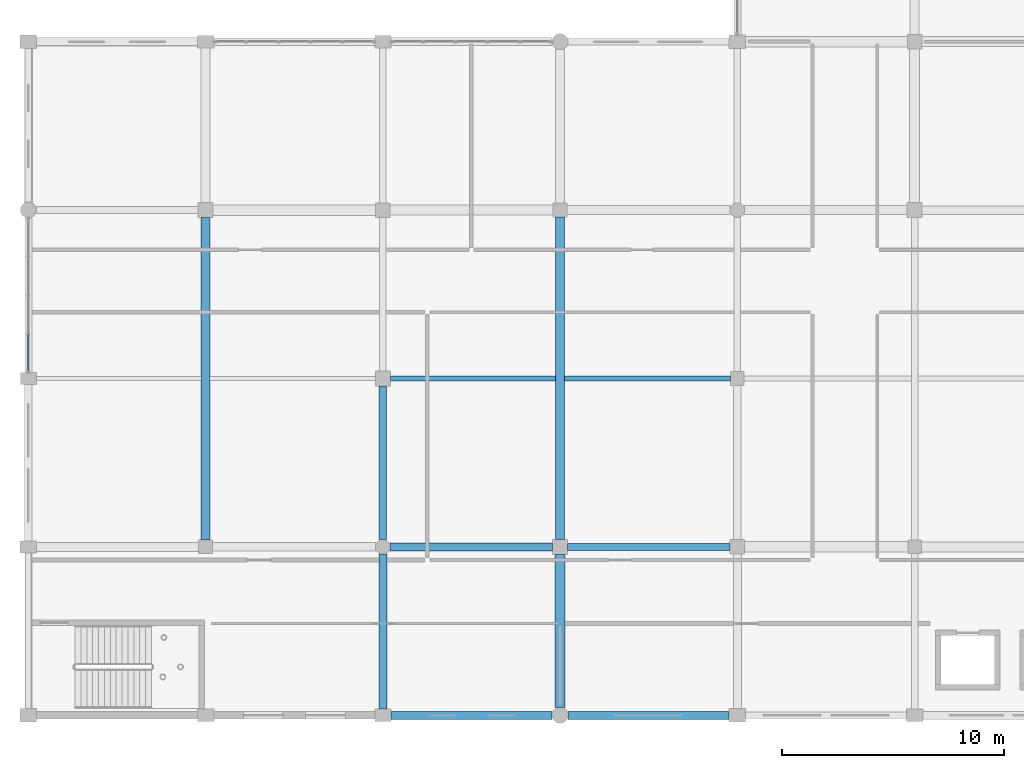
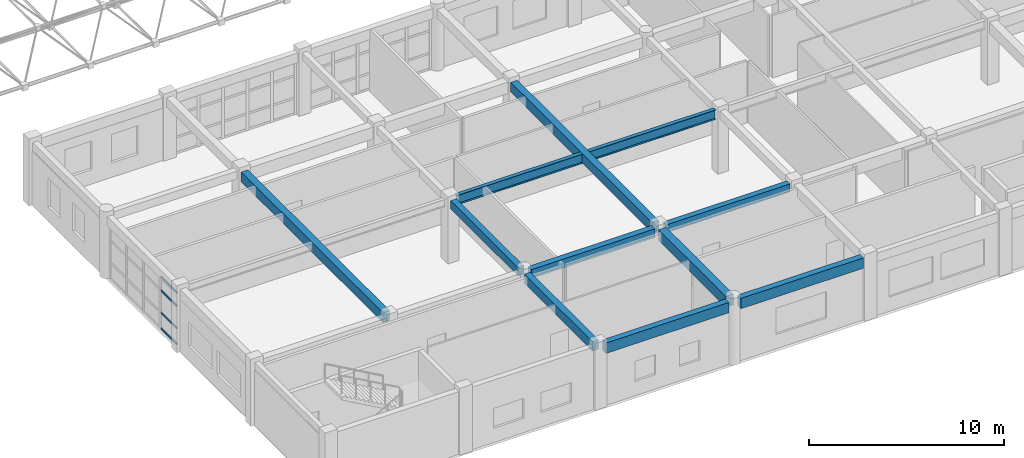
# One storey, part 35 of 195: 10 beams, 4 members, 1 element without a shape of its own.
"""IFC4 building model written with IfcOpenShell, lengths in metres."""

from ifc_helpers import new_model, si_unit, direction, frame, origin, origin_2d, place, context, subcontext, project, spatial, rectangle, hollow_rectangle, i_section, extrude, material, material_profile, profile_set, type_object, element, aggregate, save


model = new_model("IFC4")

# Units and contexts
model_context = context("Model", 3, precision=1e-05, world=origin(), true_north=direction((0.0, 1.0)))
body_context = subcontext(model_context, "Body", "Model", "MODEL_VIEW")
ifc_project = project(units=[si_unit("LENGTHUNIT", "METRE"), si_unit("AREAUNIT", "SQUARE_METRE"), si_unit("VOLUMEUNIT", "CUBIC_METRE"), si_unit("PLANEANGLEUNIT", "RADIAN"), si_unit("MASSUNIT", "GRAM", prefix="KILO")], contexts=[model_context])

# Site, building, storey
site_placement = place(None, origin())
site = spatial("IfcSite", under=ifc_project, at=site_placement, CompositionType="ELEMENT")
building_placement = place(site_placement, origin())
building = spatial("IfcBuilding", under=site, at=building_placement, Name="Kharva Crest Polytechnic", CompositionType="ELEMENT")
storey_placement = place(building_placement, frame((0.0, 0.0, 9.0)))
storey = spatial("IfcBuildingStorey", under=building, at=storey_placement, Name="L02", CompositionType="ELEMENT", Elevation=9.0)

# Beams
ifc_material_1 = material(Name="Concrete C35/45", Category="concrete")
ifc_material_profile_1 = material_profile(ifc_material_1, rectangle(XDim=0.320068359375, YDim=0.5, at=origin_2d()), Name="RECT 320 X 500")
ifc_profile_set_1 = profile_set([ifc_material_profile_1], Name="Concrete C35/45")
beam_type_1 = type_object("IfcBeamType", Name="BM-RC-320X500", PredefinedType="BEAM", material=ifc_profile_set_1)
beam_1_placement = place(storey_placement, frame((24.340087890625, 7.60009765625, 3.669921875), z_axis=(1.0, 0.0, 0.0), x_axis=(0.0, 1.0, 0.0)))
element("IfcBeam", 1, at=beam_1_placement, inside=storey, type_object=beam_type_1, Name="L02 Beam B/4-5", PredefinedType="BEAM", context=body_context, shape_type="SweptSolid", body=[
    extrude(rectangle(XDim=0.320068359375, YDim=0.5, at=origin_2d()), origin(), (0.0, 0.0, 1.0), 7.3349609375),
])
ifc_material_profile_2 = material_profile(ifc_material_1, rectangle(XDim=0.340087890625, YDim=0.52001953125, at=origin_2d()), Name="RECT 340 X 520")
ifc_profile_set_2 = profile_set([ifc_material_profile_2], Name="Concrete C35/45")
beam_type_2 = type_object("IfcBeamType", Name="BM-RC-340X520", PredefinedType="BEAM", material=ifc_profile_set_2)
beam_2_placement = place(storey_placement, frame((16.0, 7.929931640625, 3.659912109375), z_axis=(0.0, 1.0, 0.0), x_axis=(-1.0, 0.0, 0.0)))
element("IfcBeam", 2, at=beam_2_placement, inside=storey, type_object=beam_type_2, Name="L02 Girder 3/B-C", PredefinedType="BEAM", context=body_context, shape_type="SweptSolid", body=[
    extrude(rectangle(XDim=0.340087890625, YDim=0.52001953125, at=origin_2d()), origin(), (0.0, 0.0, 1.0), 6.93017578125),
])
ifc_material_profile_3 = material_profile(ifc_material_1, rectangle(XDim=0.35009765625, YDim=0.550048828125, at=origin_2d()), Name="RECT 350 X 550")
ifc_profile_set_3 = profile_set([ifc_material_profile_3], Name="Concrete C35/45")
beam_type_3 = type_object("IfcBeamType", Name="BM-RC-350X550", PredefinedType="BEAM", material=ifc_profile_set_3)
beam_3_placement = place(storey_placement, frame((16.330078125, 7.60009765625, 3.64501953125), z_axis=(1.0, 0.0, 0.0), x_axis=(0.0, 1.0, 0.0)))
element("IfcBeam", 3, at=beam_3_placement, inside=storey, type_object=beam_type_3, Name="L02 Beam B/3-4", PredefinedType="BEAM", context=body_context, shape_type="SweptSolid", body=[
    extrude(rectangle(XDim=0.35009765625, YDim=0.550048828125, at=origin_2d()), origin(), (0.0, 0.0, 1.0), 7.329833984375),
])
ifc_material_profile_4 = material_profile(ifc_material_1, rectangle(XDim=0.360107421875, YDim=0.580078125, at=origin_2d()), Name="RECT 360 X 580")
ifc_profile_set_4 = profile_set([ifc_material_profile_4], Name="Concrete C35/45")
beam_type_4 = type_object("IfcBeamType", Name="BM-RC-360X580", PredefinedType="BEAM", material=ifc_profile_set_4)
beam_4_placement = place(storey_placement, frame((16.0, 0.27490234375, 3.6298828125), z_axis=(0.0, 1.0, 0.0), x_axis=(-1.0, 0.0, 0.0)))
element("IfcBeam", 4, at=beam_4_placement, inside=storey, type_object=beam_type_4, Name="L02 Girder 3/A-B", PredefinedType="BEAM", context=body_context, shape_type="SweptSolid", body=[
    extrude(rectangle(XDim=0.360107421875, YDim=0.580078125, at=origin_2d()), origin(), (0.0, 0.0, 1.0), 6.9951171875),
])
ifc_material_profile_5 = material_profile(ifc_material_1, rectangle(XDim=0.39990234375, YDim=0.6201171875, at=origin_2d()), Name="RECT 400 X 620")
ifc_profile_set_5 = profile_set([ifc_material_profile_5], Name="Concrete C35/45")
beam_type_5 = type_object("IfcBeamType", Name="BM-RC-400X620", PredefinedType="BEAM", material=ifc_profile_set_5)
for number, where, z_axis, x_axis, name in (
    (5, (8.0, 7.909912109375, 3.610107421875), (0.0, 1.0, 0.0), (-1.0, 0.0, 0.0), "L02 Girder 2/B-D"),
    (6, (24.0, 7.93994140625, 3.610107421875), (0.0, 1.0, 0.0), (-1.0, 0.0, 0.0), "L02 Girder 4/B-D"),
):
    element("IfcBeam", number, at=place(storey_placement, frame(where, z_axis=z_axis, x_axis=x_axis)), inside=storey, type_object=beam_type_5, Name=name, PredefinedType="BEAM", context=body_context, shape_type="SweptSolid", body=[
        extrude(rectangle(XDim=0.39990234375, YDim=0.6201171875, at=origin_2d()), origin(), (0.0, 0.0, 1.0), 14.550048828125),
    ])
ifc_material_profile_6 = material_profile(ifc_material_1, rectangle(XDim=0.449951171875, YDim=0.679931640625, at=origin_2d()), Name="RECT 450 X 680")
ifc_profile_set_6 = profile_set([ifc_material_profile_6], Name="Concrete C35/45")
beam_type_6 = type_object("IfcBeamType", Name="BM-RC-450X680", PredefinedType="BEAM", material=ifc_profile_set_6)
beam_5_placement = place(storey_placement, frame((24.0, 0.360107421875, 3.580078125), z_axis=(0.0, 1.0, 0.0), x_axis=(-1.0, 0.0, 0.0)))
element("IfcBeam", 7, at=beam_5_placement, inside=storey, type_object=beam_type_6, Name="L02 Girder 4/A-B", PredefinedType="BEAM", context=body_context, shape_type="SweptSolid", body=[
    extrude(rectangle(XDim=0.449951171875, YDim=0.679931640625, at=origin_2d()), origin(), (0.0, 0.0, 1.0), 6.89990234375),
])
ifc_material_2 = material(Name="Steel S355", Category="steel")
ifc_material_profile_7 = material_profile(ifc_material_2, i_section(OverallWidth=0.22802734375, OverallDepth=0.60302734375, WebThickness=0.010498046875, FlangeThickness=0.014892578125, at=origin_2d()), Name="W610X101")
ifc_profile_set_7 = profile_set([ifc_material_profile_7], Name="Steel S355")
beam_type_7 = type_object("IfcBeamType", Name="BM-STL-W610X101", PredefinedType="BEAM", material=ifc_profile_set_7)
beam_6_placement = place(storey_placement, frame((16.340087890625, 15.199951171875, 3.618408203125), z_axis=(1.0, 0.0, 0.0), x_axis=(0.0, 1.0, 0.0)))
element("IfcBeam", 8, at=beam_6_placement, inside=storey, type_object=beam_type_7, Name="L02 Beam C/3-5", PredefinedType="BEAM", context=body_context, shape_type="SweptSolid", body=[
    extrude(i_section(OverallWidth=0.22802734375, OverallDepth=0.60302734375, WebThickness=0.010498046875, FlangeThickness=0.014892578125, at=origin_2d()), origin(), (0.0, 0.0, 1.0), 15.349853515625),
])

# Curtain wall, members
ifc_material_3 = material(Name="Tempered insulated glass", Category="glass")
curtain_wall_type = type_object("IfcCurtainWallType", Name="CW-SYS-COURT", PredefinedType="USERDEFINED", material=ifc_material_3)
curtain_wall_placement = place(storey_placement, origin())
curtain_wall = element("IfcCurtainWall", 9, at=curtain_wall_placement, inside=storey, type_object=curtain_wall_type, Name="L02 Glazed Curtain Wall CW-091", ObjectType="CURTAIN WALL", PredefinedType="USERDEFINED")
ifc_material_profile_8 = material_profile(ifc_material_2, hollow_rectangle(XDim=0.06005859375, YDim=0.1201171875, WallThickness=0.00390625, at=origin_2d()), Name="RHS 120X60X4.0")
ifc_profile_set_8 = profile_set([ifc_material_profile_8], Name="Steel S355")
member_type = type_object("IfcMemberType", Name="CWT-RHS120X60", PredefinedType="USERDEFINED", material=ifc_profile_set_8)
member_1_placement = place(storey_placement, frame((0.0, 17.1787109375, 0.06005859375), z_axis=(0.0, -1.0, 0.0), x_axis=(1.0, 0.0, 0.0)))
member_1 = element("IfcMember", 10, at=member_1_placement, type_object=member_type, Name="CW-091 transom 4.1", ObjectType="TRANSOM", PredefinedType="USERDEFINED", context=body_context, shape_type="SweptSolid", body=[
    extrude(hollow_rectangle(XDim=0.06005859375, YDim=0.1201171875, WallThickness=0.00390625, at=origin_2d()), origin(), (0.0, 0.0, 1.0), 1.61865234375),
])
member_2_placement = place(storey_placement, frame((0.0, 17.1787109375, 1.050048828125), z_axis=(0.0, -1.0, 0.0), x_axis=(1.0, 0.0, 0.0)))
member_2 = element("IfcMember", 11, at=member_2_placement, type_object=member_type, Name="CW-091 transom 4.2", ObjectType="TRANSOM", PredefinedType="USERDEFINED", context=body_context, shape_type="SweptSolid", body=[
    extrude(hollow_rectangle(XDim=0.06005859375, YDim=0.1201171875, WallThickness=0.00390625, at=origin_2d()), origin(), (0.0, 0.0, 1.0), 1.61865234375),
])
member_3_placement = place(storey_placement, frame((0.0, 17.1787109375, 2.449951171875), z_axis=(0.0, -1.0, 0.0), x_axis=(1.0, 0.0, 0.0)))
member_3 = element("IfcMember", 12, at=member_3_placement, type_object=member_type, Name="CW-091 transom 4.3", ObjectType="TRANSOM", PredefinedType="USERDEFINED", context=body_context, shape_type="SweptSolid", body=[
    extrude(hollow_rectangle(XDim=0.06005859375, YDim=0.1201171875, WallThickness=0.00390625, at=origin_2d()), origin(), (0.0, 0.0, 1.0), 1.61865234375),
])
member_4_placement = place(storey_placement, frame((0.0, 17.1787109375, 3.280029296875), z_axis=(0.0, -1.0, 0.0), x_axis=(1.0, 0.0, 0.0)))
member_4 = element("IfcMember", 13, at=member_4_placement, type_object=member_type, Name="CW-091 transom 4.4", ObjectType="TRANSOM", PredefinedType="USERDEFINED", context=body_context, shape_type="SweptSolid", body=[
    extrude(hollow_rectangle(XDim=0.06005859375, YDim=0.1201171875, WallThickness=0.00390625, at=origin_2d()), origin(), (0.0, 0.0, 1.0), 1.61865234375),
])
aggregate(curtain_wall, [member_1, member_2, member_3, member_4])

# Beams
ifc_material_profile_9 = material_profile(ifc_material_1, rectangle(XDim=0.360107421875, YDim=0.64990234375, at=origin_2d()), Name="RECT 360 X 650")
ifc_profile_set_9 = profile_set([ifc_material_profile_9], Name="Concrete C35/45")
beam_type_8 = type_object("IfcBeamType", Name="SP-RC-360X650", PredefinedType="SPANDREL", material=ifc_profile_set_9)
beam_7_placement = place(storey_placement, frame((16.360107421875, 0.0, 3.594970703125), z_axis=(1.0, 0.0, 0.0), x_axis=(0.0, 1.0, 0.0)))
element("IfcBeam", 14, at=beam_7_placement, inside=storey, type_object=beam_type_8, Name="L02 Beam A/3-4", PredefinedType="SPANDREL", context=body_context, shape_type="SweptSolid", body=[
    extrude(rectangle(XDim=0.360107421875, YDim=0.64990234375, at=origin_2d()), origin(), (0.0, 0.0, 1.0), 7.27978515625),
])
beam_8_placement = place(storey_placement, frame((24.360107421875, 0.0, 3.594970703125), z_axis=(1.0, 0.0, 0.0), x_axis=(0.0, 1.0, 0.0)))
element("IfcBeam", 15, at=beam_8_placement, inside=storey, type_object=beam_type_8, Name="L02 Beam A/4-5", PredefinedType="SPANDREL", context=body_context, shape_type="SweptSolid", body=[
    extrude(rectangle(XDim=0.360107421875, YDim=0.64990234375, at=origin_2d()), origin(), (0.0, 0.0, 1.0), 7.264892578125),
])

save(model, "model.ifc")
